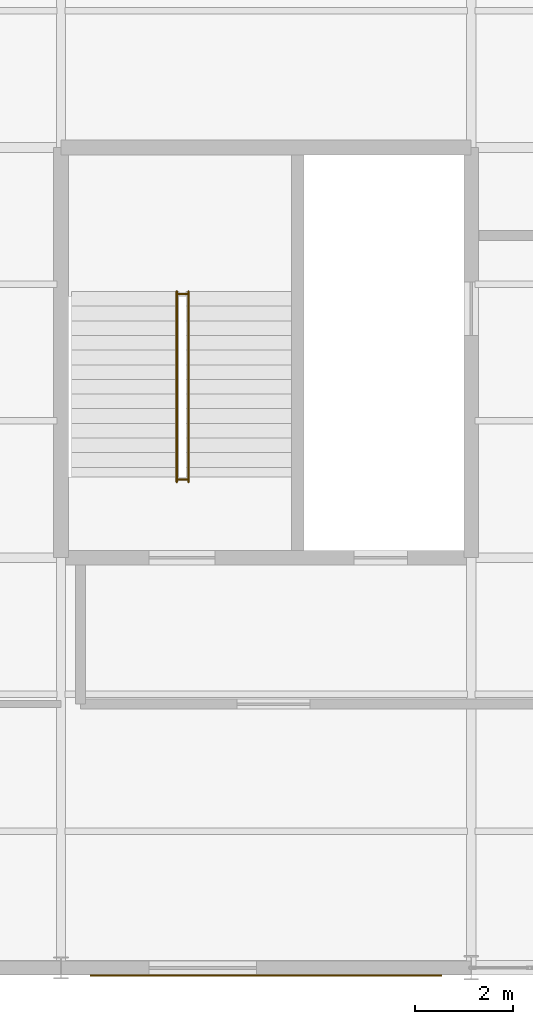
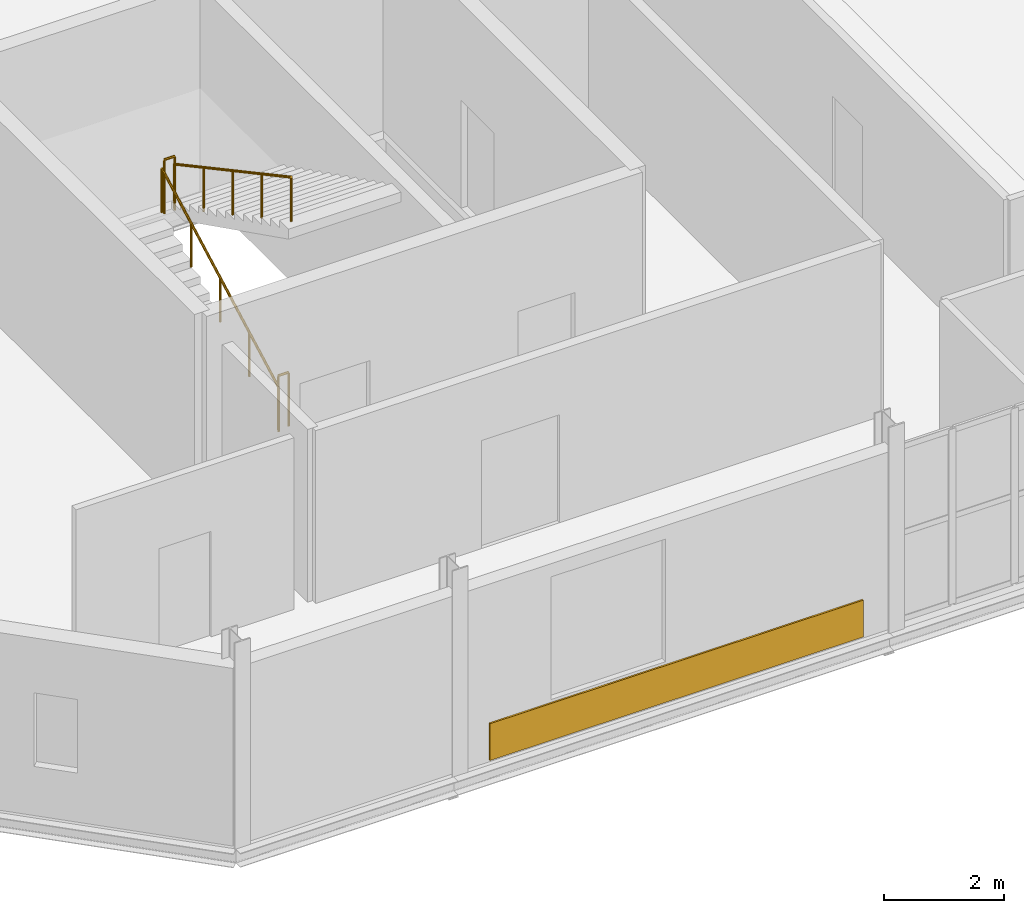
# One storey, part 62 of 69: 4 railings, 1 covering.
"""IFC4 building model written with IfcOpenShell, lengths in metres."""

from ifc_helpers import new_model, si_unit, direction, frame, origin, origin_2d, place, context, subcontext, project, spatial, rectangle, circle, extrude, material, layer, layer_set, type_object, element, save


model = new_model("IFC4")

# Units and contexts
model_context = context("Model", 3, precision=1e-05, world=origin(), true_north=direction((0.0, 1.0)))
body_context = subcontext(model_context, "Body", "Model", "MODEL_VIEW")
ifc_project = project(units=[si_unit("LENGTHUNIT", "METRE"), si_unit("AREAUNIT", "SQUARE_METRE"), si_unit("VOLUMEUNIT", "CUBIC_METRE"), si_unit("PLANEANGLEUNIT", "RADIAN"), si_unit("MASSUNIT", "GRAM", prefix="KILO")], contexts=[model_context])

# Site, building, storey
site_placement = place(None, origin())
site = spatial("IfcSite", under=ifc_project, at=site_placement, CompositionType="ELEMENT")
building_placement = place(site_placement, origin())
building = spatial("IfcBuilding", under=site, at=building_placement, Name="Qalvenar Corner Mobility Hub", CompositionType="ELEMENT")
storey_placement = place(building_placement, frame((0.0, 0.0, 13.199951171875)))
storey = spatial("IfcBuildingStorey", under=building, at=storey_placement, Name="L03", CompositionType="ELEMENT", Elevation=13.199951171875)

# Covering
ifc_material_1 = material(Name="Kashikari Glazed Turquoise Faience Tile Cladding", Category="masonry")
ifc_layer = layer(ifc_material_1, 0.034912109375)
ifc_layer_set = layer_set([ifc_layer], Name="Kashikari Glazed Turquoise Faience Tile Cladding")
covering_type = type_object("IfcCoveringType", Name="COV-CLAD-FAI", PredefinedType="CLADDING", material=ifc_layer_set)
covering_placement = place(storey_placement, frame((12.60009765625, -0.155029296875, 0.045166015625), z_axis=(0.0, 0.0, 1.0), x_axis=(1.0, 0.0, 0.0)))
element("IfcCovering", 1, at=covering_placement, inside=storey, type_object=covering_type, Name="Kashikari Faience Spandrel V3-L03-S1", PredefinedType="CLADDING", context=body_context, shape_type="SweptSolid", body=[
    extrude(rectangle(XDim=7.199951171875, YDim=0.034912109375, at=origin_2d()), origin(), (0.0, 0.0, 1.0), 0.75),
])

# Railings
ifc_material_2 = material(Name="Art Nouveau Bronze-Finished Steel Balustrade", Category="steel")
railing_type_1 = type_object("IfcRailingType", Name="RL-GUARD-110", PredefinedType="GUARDRAIL", material=ifc_material_2)
for number, where, name in (
    (2, (10.7900390625, 10.0, 0.0), "Stair Arrival Slot Guard C1-L03"),
    (3, (10.7900390625, 13.800048828125, 2.10009765625), "Stair Half-Landing Well Guard ST1-L03"),
):
    element("IfcRailing", number, at=place(storey_placement, frame(where)), inside=storey, type_object=railing_type_1, Name=name, PredefinedType="GUARDRAIL", context=body_context, shape_type="SweptSolid", body=[
        extrude(circle(Radius=0.02392578125, at=origin_2d()), frame((0.0, 0.0, 1.09619140625), z_axis=(1.0, 0.0, 0.0), x_axis=(0.0, 1.0, 0.0)), (0.0, 0.0, 1.0), 0.199951171875),
        extrude(circle(Radius=0.02099609375, at=origin_2d()), origin(), (0.0, 0.0, 1.0), 1.072021484375),
        extrude(circle(Radius=0.02099609375, at=origin_2d()), frame((0.199951171875, 0.0, 0.0)), (0.0, 0.0, 1.0), 1.072021484375),
    ])
ifc_material_3 = material(Name="Brushed Stainless Steel Handrail", Category="steel")
railing_type_2 = type_object("IfcRailingType", Name="RL-HAND-092", PredefinedType="HANDRAIL", material=ifc_material_3)
railing_1_placement = place(storey_placement, frame((10.77001953125, 9.949951171875, 0.0)))
element("IfcRailing", 4, at=railing_1_placement, inside=storey, type_object=railing_type_2, Name="Stair Handrail ST1-L03-1", PredefinedType="HANDRAIL", context=body_context, shape_type="SweptSolid", body=[
    extrude(circle(Radius=0.02392578125, at=origin_2d()), frame((0.0, 0.0, 0.89599609375), z_axis=(0.0, 0.880469330154, 0.474103109733), x_axis=(-1.0, 0.0, 0.0)), (0.0, 0.0, 1.0), 4.4296875),
    extrude(circle(Radius=0.02099609375, at=origin_2d()), origin(), (0.0, 0.0, 1.0), 0.871826171875),
    extrude(circle(Radius=0.02099609375, at=origin_2d()), frame((0.0, 0.97509765625, 0.52490234375)), (0.0, 0.0, 1.0), 0.871826171875),
    extrude(circle(Radius=0.02099609375, at=origin_2d()), frame((0.0, 1.9501953125, 1.050048828125)), (0.0, 0.0, 1.0), 0.871826171875),
    extrude(circle(Radius=0.02099609375, at=origin_2d()), frame((0.0, 2.925048828125, 1.5751953125)), (0.0, 0.0, 1.0), 0.871826171875),
    extrude(circle(Radius=0.02099609375, at=origin_2d()), frame((0.0, 3.900146484375, 2.10009765625)), (0.0, 0.0, 1.0), 0.871826171875),
])
railing_2_placement = place(storey_placement, frame((11.010009765625, 13.85009765625, 2.10009765625)))
element("IfcRailing", 5, at=railing_2_placement, inside=storey, type_object=railing_type_2, Name="Stair Handrail ST1-L03-2", PredefinedType="HANDRAIL", context=body_context, shape_type="SweptSolid", body=[
    extrude(circle(Radius=0.02392578125, at=origin_2d()), frame((0.0, 0.0, 0.89599609375), z_axis=(0.0, -0.88049233674, 0.474060381114), x_axis=(1.0, 0.0, 0.0)), (0.0, 0.0, 1.0), 4.429443359375),
    extrude(circle(Radius=0.02099609375, at=origin_2d()), origin(), (0.0, 0.0, 1.0), 0.871826171875),
    extrude(circle(Radius=0.02099609375, at=origin_2d()), frame((0.0, -0.97509765625, 0.52490234375)), (0.0, 0.0, 1.0), 0.871826171875),
    extrude(circle(Radius=0.02099609375, at=origin_2d()), frame((0.0, -1.9501953125, 1.0498046875)), (0.0, 0.0, 1.0), 0.871826171875),
    extrude(circle(Radius=0.02099609375, at=origin_2d()), frame((0.0, -2.925048828125, 1.574951171875)), (0.0, 0.0, 1.0), 0.871826171875),
    extrude(circle(Radius=0.02099609375, at=origin_2d()), frame((0.0, -3.900146484375, 2.099853515625)), (0.0, 0.0, 1.0), 0.871826171875),
])

save(model, "model.ifc")
